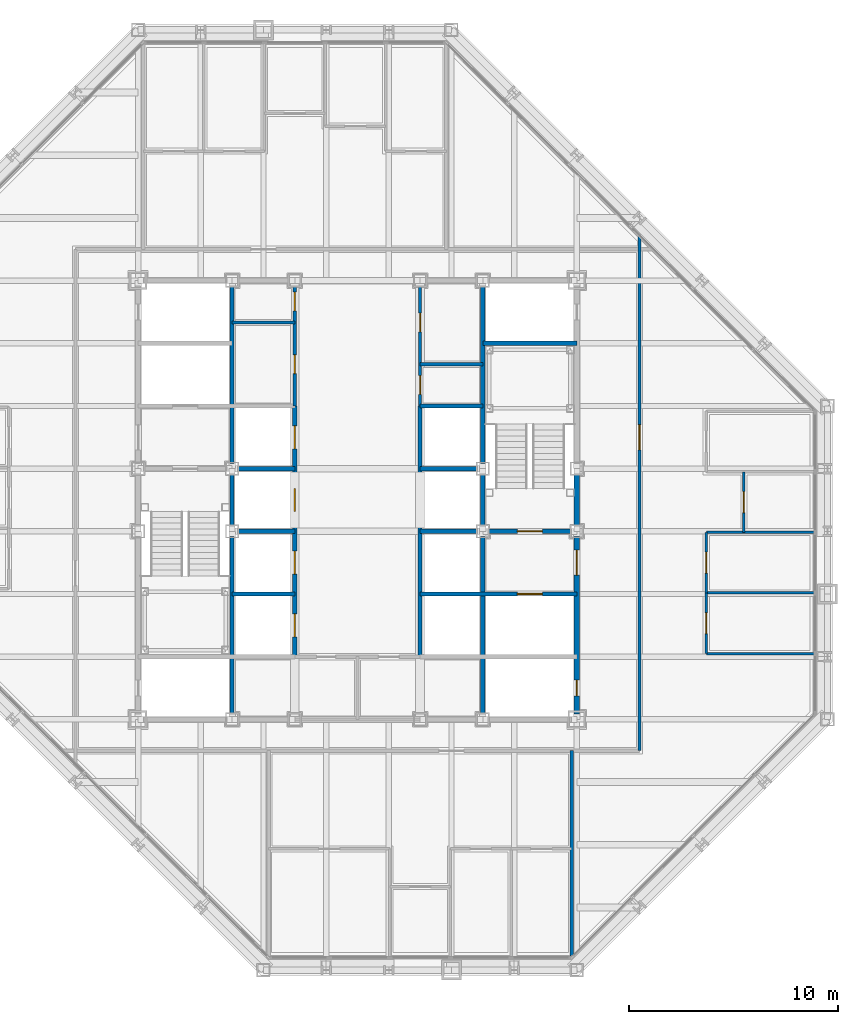
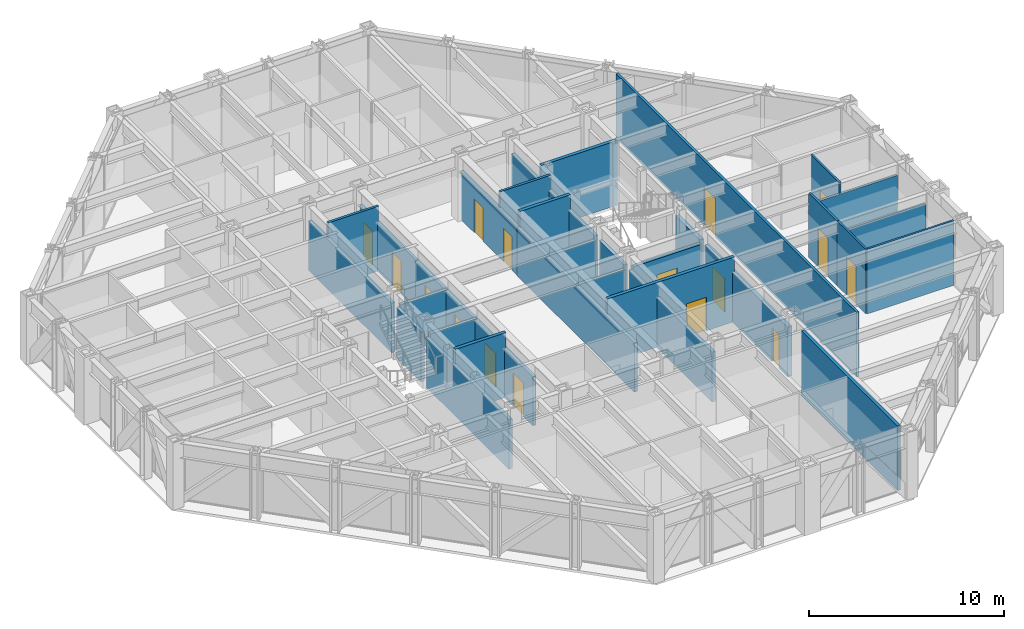
# One storey, part 12 of 16: 31 walls, 16 doors, 16 openings.
"""IFC4 building model written with IfcOpenShell, lengths in metres."""

from ifc_helpers import new_model, si_unit, direction, frame, frame_2d, origin, place, context, subcontext, project, spatial, rectangle, extrude, material, layer, layer_set, type_object, element, fill, save


model = new_model("IFC4")

# Units and contexts
model_context = context("Model", 3, precision=1e-05, world=origin(), true_north=direction((0.0, 1.0)))
body_context = subcontext(model_context, "Body", "Model", "MODEL_VIEW")
ifc_project = project(units=[si_unit("LENGTHUNIT", "METRE"), si_unit("AREAUNIT", "SQUARE_METRE"), si_unit("VOLUMEUNIT", "CUBIC_METRE"), si_unit("PLANEANGLEUNIT", "RADIAN"), si_unit("MASSUNIT", "GRAM", prefix="KILO")], contexts=[model_context])

# Site, building, storey
site_placement = place(None, origin())
site = spatial("IfcSite", under=ifc_project, at=site_placement, CompositionType="ELEMENT")
building_placement = place(site_placement, origin())
building = spatial("IfcBuilding", under=site, at=building_placement, Name="Chuquiago Exchange Tower", CompositionType="ELEMENT")
storey_placement = place(building_placement, frame((0.0, 0.0, 201.300048828125)))
storey = spatial("IfcBuildingStorey", under=building, at=storey_placement, Name="L44", CompositionType="ELEMENT", Elevation=201.300048828125)

# Wall, openings, doors
ifc_material_1 = material(Name="Concrete masonry, fully grouted", Category="masonry")
ifc_layer_1 = layer(ifc_material_1, 0.25)
ifc_layer_set_1 = layer_set([ifc_layer_1], Name="W1 core wall 250")
wall_type_1 = type_object("IfcWallType", Name="W1 core wall 250", PredefinedType="SOLIDWALL", material=ifc_layer_set_1)
wall_1_placement = place(storey_placement, frame((33.0, 12.25, 0.0), z_axis=(0.0, 0.0, 1.0), x_axis=(0.0, 1.0, 0.0)))
wall_1 = element("IfcWall", 1, at=wall_1_placement, inside=storey, type_object=wall_type_1, Name="CW-L44-25-0", PredefinedType="SOLIDWALL", context=body_context, shape_type="SweptSolid", body=[
    extrude(rectangle(XDim=8.5, YDim=0.25, at=frame_2d((4.25, 0.0))), origin(), (0.0, 0.0, 1.0), 3.11279296875),
])
opening_1_placement = place(wall_1_placement, frame((6.64990234375, 0.0, 0.0)))
opening_1 = element("IfcOpeningElement", 2, at=opening_1_placement, cuts=wall_1, Name="Opening L44-004", PredefinedType="OPENING", context=body_context, shape_type="SweptSolid", body=[
    extrude(rectangle(XDim=1.199951171875, YDim=2.10009765625, at=frame_2d((0.60009765625, 1.050048828125))), frame((0.0, 0.135009765625, 0.0), z_axis=(0.0, -1.0, 0.0), x_axis=(1.0, 0.0, 0.0)), (0.0, 0.0, 1.0), 0.27001953125),
])
opening_2_placement = place(wall_1_placement, frame((0.875, 0.0, 0.0)))
opening_2 = element("IfcOpeningElement", 3, at=opening_2_placement, cuts=wall_1, Name="Opening L44-009", PredefinedType="OPENING", context=body_context, shape_type="SweptSolid", body=[
    extrude(rectangle(XDim=0.75, YDim=2.10009765625, at=frame_2d((0.375, 1.050048828125))), frame((0.0, 0.135009765625, 0.0), z_axis=(0.0, -1.0, 0.0), x_axis=(1.0, 0.0, 0.0)), (0.0, 0.0, 1.0), 0.27001953125),
])
ifc_material_2 = material(Name="Steel door, painted", Category="steel")
door_type_1 = type_object("IfcDoorType", Name="D5 firefighting lobby door 1200x2100", OperationType="SINGLE_SWING_LEFT", PredefinedType="DOOR", material=ifc_material_2)
door_1_placement = place(opening_1_placement, origin())
door_1 = element("IfcDoor", 4, at=door_1_placement, inside=storey, type_object=door_type_1, Name="Firefighting lobby 2 door", OperationType="SINGLE_SWING_RIGHT", OverallHeight=2.10009765625, OverallWidth=1.199951171875, PredefinedType="DOOR", context=body_context, shape_type="SweptSolid", body=[
    extrude(rectangle(XDim=1.199951171875, YDim=2.10009765625, at=frame_2d((0.60009765625, 1.050048828125))), frame((0.0, 0.02490234375, 0.0), z_axis=(0.0, -1.0, 0.0), x_axis=(1.0, 0.0, 0.0)), (0.0, 0.0, 1.0), 0.050048828125),
])
fill(opening_1, door_1)
ifc_material_3 = material(Name="Steel door, painted", Category="steel")
door_type_2 = type_object("IfcDoorType", Name="D6 riser access door 750x2100", OperationType="SINGLE_SWING_LEFT", PredefinedType="DOOR", material=ifc_material_3)
door_2_placement = place(opening_2_placement, frame((0.75, 0.0, 0.0), z_axis=(0.0, 0.0, 1.0), x_axis=(-1.0, 0.0, 0.0)))
door_2 = element("IfcDoor", 5, at=door_2_placement, inside=storey, type_object=door_type_2, Name="Riser RE1 door", OperationType="SINGLE_SWING_RIGHT", OverallHeight=2.10009765625, OverallWidth=0.75, PredefinedType="DOOR", context=body_context, shape_type="SweptSolid", body=[
    extrude(rectangle(XDim=0.75, YDim=2.10009765625, at=frame_2d((0.375, 1.050048828125))), frame((0.0, 0.02490234375, 0.0), z_axis=(0.0, -1.0, 0.0), x_axis=(1.0, 0.0, 0.0)), (0.0, 0.0, 1.0), 0.050048828125),
])
fill(opening_2, door_2)

# Wall
wall_2_placement = place(storey_placement, frame((33.0, 21.25, 0.0), z_axis=(0.0, 0.0, 1.0), x_axis=(0.0, 1.0, 0.0)))
element("IfcWall", 6, at=wall_2_placement, inside=storey, type_object=wall_type_1, Name="CW-L44-25-1", PredefinedType="SOLIDWALL", context=body_context, shape_type="SweptSolid", body=[
    extrude(rectangle(XDim=2.5, YDim=0.25, at=frame_2d((1.25, 0.0))), origin(), (0.0, 0.0, 1.0), 3.11279296875),
])

# Wall, opening, door
ifc_material_4 = material(Name="Gypsum board on steel studs, acoustic insulation", Category="steel")
ifc_layer_2 = layer(ifc_material_4, 0.14990234375)
ifc_layer_set_2 = layer_set([ifc_layer_2], Name="W11 corridor wall 150")
wall_type_2 = type_object("IfcWallType", Name="W11 corridor wall 150", PredefinedType="PARTITIONING", material=ifc_layer_set_2)
wall_3_placement = place(storey_placement, frame((36.0, 10.5, 0.0), z_axis=(0.0, 0.0, 1.0), x_axis=(0.0, 1.0, 0.0)))
wall_3 = element("IfcWall", 7, at=wall_3_placement, inside=storey, type_object=wall_type_2, Name="PW-L44-CE", PredefinedType="PARTITIONING", context=body_context, shape_type="SweptSolid", body=[
    extrude(rectangle(XDim=24.614501953125, YDim=0.14990234375, at=frame_2d((12.30712890625, 0.0))), origin(), (0.0, 0.0, 1.0), 4.0400390625),
])
opening_3_placement = place(wall_3_placement, frame((14.39990234375, 0.0, 0.0)))
opening_3 = element("IfcOpeningElement", 8, at=opening_3_placement, cuts=wall_3, Name="Opening L44-042", PredefinedType="OPENING", context=body_context, shape_type="SweptSolid", body=[
    extrude(rectangle(XDim=1.199951171875, YDim=2.39990234375, at=frame_2d((0.60009765625, 1.199951171875))), frame((0.0, 0.0849609375, 0.0), z_axis=(0.0, -1.0, 0.0), x_axis=(1.0, 0.0, 0.0)), (0.0, 0.0, 1.0), 0.169921875),
])
ifc_material_5 = material(Name="Timber door, laminate faced", Category="wood")
door_type_3 = type_object("IfcDoorType", Name="D13 suite entrance door 1200x2400", OperationType="SINGLE_SWING_LEFT", PredefinedType="DOOR", material=ifc_material_5)
door_3_placement = place(opening_3_placement, frame((1.199951171875, 0.0, 0.0), z_axis=(0.0, 0.0, 1.0), x_axis=(-1.0, 0.0, 0.0)))
door_3 = element("IfcDoor", 9, at=door_3_placement, inside=storey, type_object=door_type_3, Name="East suite entrance door", OperationType="SINGLE_SWING_LEFT", OverallHeight=2.39990234375, OverallWidth=1.199951171875, PredefinedType="DOOR", context=body_context, shape_type="SweptSolid", body=[
    extrude(rectangle(XDim=1.199951171875, YDim=2.39990234375, at=frame_2d((0.60009765625, 1.199951171875))), frame((0.0, 0.02490234375, 0.0), z_axis=(0.0, -1.0, 0.0), x_axis=(1.0, 0.0, 0.0)), (0.0, 0.0, 1.0), 0.050048828125),
])
fill(opening_3, door_3)

# Walls
ifc_material_6 = material(Name="Gypsum board on twin steel studs, acoustic insulation", Category="steel")
ifc_layer_3 = layer(ifc_material_6, 0.175048828125)
ifc_layer_set_3 = layer_set([ifc_layer_3], Name="W12 tenant demising wall 175")
wall_type_3 = type_object("IfcWallType", Name="W12 tenant demising wall 175", PredefinedType="PARTITIONING", material=ifc_layer_set_3)
wall_4_placement = place(storey_placement, frame((32.75146484375, 0.666015625, 0.0), z_axis=(0.0, 0.0, 1.0), x_axis=(0.0, 1.0, 0.0)))
element("IfcWall", 10, at=wall_4_placement, inside=storey, type_object=wall_type_3, Name="PW-L44-DS03275", PredefinedType="PARTITIONING", context=body_context, shape_type="SweptSolid", body=[
    extrude(rectangle(XDim=9.833984375, YDim=0.175048828125, at=frame_2d((4.9169921875, 0.0))), origin(), (0.0, 0.0, 1.0), 4.0400390625),
])
ifc_material_7 = material(Name="Concrete masonry, fully grouted", Category="masonry")
ifc_layer_4 = layer(ifc_material_7, 0.199951171875)
ifc_layer_set_4 = layer_set([ifc_layer_4], Name="W2 shaft wall 200")
wall_type_4 = type_object("IfcWallType", Name="W2 shaft wall 200", PredefinedType="SOLIDWALL", material=ifc_layer_set_4)
for number, where, z_axis, x_axis, name in (
    (11, (16.75, 24.0, 0.0), (0.0, 0.0, 1.0), (1.0, 0.0, 0.0), "CW-L44-05-1"),
    (12, (25.5, 24.0, 0.0), (0.0, 0.0, 1.0), (1.0, 0.0, 0.0), "CW-L44-06-0"),
):
    element("IfcWall", number, at=place(storey_placement, frame(where, z_axis=z_axis, x_axis=x_axis)), inside=storey, type_object=wall_type_4, Name=name, PredefinedType="SOLIDWALL", context=body_context, shape_type="SweptSolid", body=[
        extrude(rectangle(XDim=2.75, YDim=0.199951171875, at=frame_2d((1.375, 0.0))), origin(), (0.0, 0.0, 1.0), 3.08984375),
    ])
wall_5_placement = place(storey_placement, frame((25.5, 27.0, 0.0), z_axis=(0.0, 0.0, 1.0), x_axis=(1.0, 0.0, 0.0)))
element("IfcWall", 13, at=wall_5_placement, inside=storey, type_object=wall_type_4, Name="CW-L44-08-0", PredefinedType="SOLIDWALL", context=body_context, shape_type="SweptSolid", body=[
    extrude(rectangle(XDim=3.0, YDim=0.199951171875, at=frame_2d((1.5, 0.0))), origin(), (0.0, 0.0, 1.0), 4.0400390625),
])
wall_6_placement = place(storey_placement, frame((28.5, 30.0, 0.0), z_axis=(0.0, 0.0, 1.0), x_axis=(1.0, 0.0, 0.0)))
element("IfcWall", 14, at=wall_6_placement, inside=storey, type_object=wall_type_4, Name="CW-L44-10-0", PredefinedType="SOLIDWALL", context=body_context, shape_type="SweptSolid", body=[
    extrude(rectangle(XDim=4.5, YDim=0.199951171875, at=frame_2d((2.25, 0.0))), origin(), (0.0, 0.0, 1.0), 4.0400390625),
])
wall_7_placement = place(storey_placement, frame((16.5, 12.25, 0.0), z_axis=(0.0, 0.0, 1.0), x_axis=(0.0, 1.0, 0.0)))
element("IfcWall", 15, at=wall_7_placement, inside=storey, type_object=wall_type_4, Name="CW-L44-13-0", PredefinedType="SOLIDWALL", context=body_context, shape_type="SweptSolid", body=[
    extrude(rectangle(XDim=8.5, YDim=0.199951171875, at=frame_2d((4.25, 0.0))), origin(), (0.0, 0.0, 1.0), 3.11279296875),
])
wall_8_placement = place(storey_placement, frame((16.5, 21.25, 0.0), z_axis=(0.0, 0.0, 1.0), x_axis=(0.0, 1.0, 0.0)))
element("IfcWall", 16, at=wall_8_placement, inside=storey, type_object=wall_type_4, Name="CW-L44-13-1", PredefinedType="SOLIDWALL", context=body_context, shape_type="SweptSolid", body=[
    extrude(rectangle(XDim=2.5, YDim=0.199951171875, at=frame_2d((1.25, 0.0))), origin(), (0.0, 0.0, 1.0), 3.11279296875),
])
wall_9_placement = place(storey_placement, frame((16.5, 24.25, 0.0), z_axis=(0.0, 0.0, 1.0), x_axis=(0.0, 1.0, 0.0)))
element("IfcWall", 17, at=wall_9_placement, inside=storey, type_object=wall_type_4, Name="CW-L44-13-2", PredefinedType="SOLIDWALL", context=body_context, shape_type="SweptSolid", body=[
    extrude(rectangle(XDim=8.5, YDim=0.199951171875, at=frame_2d((4.25, 0.0))), origin(), (0.0, 0.0, 1.0), 3.11279296875),
])
wall_10_placement = place(storey_placement, frame((16.5, 18.0, 0.0), z_axis=(0.0, 0.0, 1.0), x_axis=(1.0, 0.0, 0.0)))
element("IfcWall", 18, at=wall_10_placement, inside=storey, type_object=wall_type_4, Name="CW-L44-14-0", PredefinedType="SOLIDWALL", context=body_context, shape_type="SweptSolid", body=[
    extrude(rectangle(XDim=3.0, YDim=0.199951171875, at=frame_2d((1.5, 0.0))), origin(), (0.0, 0.0, 1.0), 4.0400390625),
])

# Wall, opening, door
wall_11_placement = place(storey_placement, frame((25.5, 18.0, 0.0), z_axis=(0.0, 0.0, 1.0), x_axis=(1.0, 0.0, 0.0)))
wall_11 = element("IfcWall", 19, at=wall_11_placement, inside=storey, type_object=wall_type_4, Name="CW-L44-15-0", PredefinedType="SOLIDWALL", context=body_context, shape_type="SweptSolid", body=[
    extrude(rectangle(XDim=7.5, YDim=0.199951171875, at=frame_2d((3.75, 0.0))), origin(), (0.0, 0.0, 1.0), 4.0400390625),
])
opening_4_placement = place(wall_11_placement, frame((4.64990234375, 0.0, 0.0)))
opening_4 = element("IfcOpeningElement", 20, at=opening_4_placement, cuts=wall_11, Name="Opening L44-006", PredefinedType="OPENING", context=body_context, shape_type="SweptSolid", body=[
    extrude(rectangle(XDim=1.199951171875, YDim=2.10009765625, at=frame_2d((0.60009765625, 1.050048828125))), frame((0.0, 0.10986328125, 0.0), z_axis=(0.0, -1.0, 0.0), x_axis=(1.0, 0.0, 0.0)), (0.0, 0.0, 1.0), 0.219970703125),
])
ifc_material_8 = material(Name="Stainless steel lift landing door", Category="steel")
door_type_4 = type_object("IfcDoorType", Name="LD2 firefighting lift landing door 1200x2100", OperationType="DOUBLE_DOOR_SLIDING", PredefinedType="DOOR", material=ifc_material_8)
door_4_placement = place(opening_4_placement, origin())
door_4 = element("IfcDoor", 21, at=door_4_placement, inside=storey, type_object=door_type_4, Name="Firefighting lift FL2 landing door", OperationType="DOUBLE_DOOR_SLIDING", OverallHeight=2.10009765625, OverallWidth=1.199951171875, PredefinedType="DOOR", context=body_context, shape_type="SweptSolid", body=[
    extrude(rectangle(XDim=1.199951171875, YDim=2.10009765625, at=frame_2d((0.60009765625, 1.050048828125))), frame((0.0, 0.02490234375, 0.0), z_axis=(0.0, -1.0, 0.0), x_axis=(1.0, 0.0, 0.0)), (0.0, 0.0, 1.0), 0.050048828125),
])
fill(opening_4, door_4)

# Walls
for number, where, z_axis, x_axis, name in (
    (22, (16.75, 21.0, 0.0), (0.0, 0.0, 1.0), (1.0, 0.0, 0.0), "CW-L44-16-0"),
    (23, (25.5, 21.0, 0.0), (0.0, 0.0, 1.0), (1.0, 0.0, 0.0), "CW-L44-17-0"),
):
    element("IfcWall", number, at=place(storey_placement, frame(where, z_axis=z_axis, x_axis=x_axis)), inside=storey, type_object=wall_type_4, Name=name, PredefinedType="SOLIDWALL", context=body_context, shape_type="SweptSolid", body=[
        extrude(rectangle(XDim=2.75, YDim=0.199951171875, at=frame_2d((1.375, 0.0))), origin(), (0.0, 0.0, 1.0), 3.08984375),
    ])

# Wall, opening, door
wall_12_placement = place(storey_placement, frame((28.75, 21.0, 0.0), z_axis=(0.0, 0.0, 1.0), x_axis=(1.0, 0.0, 0.0)))
wall_12 = element("IfcWall", 24, at=wall_12_placement, inside=storey, type_object=wall_type_4, Name="CW-L44-17-1", PredefinedType="SOLIDWALL", context=body_context, shape_type="SweptSolid", body=[
    extrude(rectangle(XDim=4.0, YDim=0.199951171875, at=frame_2d((2.0, 0.0))), origin(), (0.0, 0.0, 1.0), 3.08984375),
])
opening_5_placement = place(wall_12_placement, frame((1.39990234375, 0.0, 0.0)))
opening_5 = element("IfcOpeningElement", 25, at=opening_5_placement, cuts=wall_12, Name="Opening L44-003", PredefinedType="OPENING", context=body_context, shape_type="SweptSolid", body=[
    extrude(rectangle(XDim=1.199951171875, YDim=2.10009765625, at=frame_2d((0.60009765625, 1.050048828125))), frame((0.0, 0.10986328125, 0.0), z_axis=(0.0, -1.0, 0.0), x_axis=(1.0, 0.0, 0.0)), (0.0, 0.0, 1.0), 0.219970703125),
])
ifc_material_9 = material(Name="Steel door, painted", Category="steel")
door_type_5 = type_object("IfcDoorType", Name="D4 stair door 1200x2100", OperationType="SINGLE_SWING_LEFT", PredefinedType="DOOR", material=ifc_material_9)
door_5_placement = place(opening_5_placement, origin())
door_5 = element("IfcDoor", 26, at=door_5_placement, inside=storey, type_object=door_type_5, Name="Stair ST2 door", OperationType="SINGLE_SWING_LEFT", OverallHeight=2.10009765625, OverallWidth=1.199951171875, PredefinedType="DOOR", context=body_context, shape_type="SweptSolid", body=[
    extrude(rectangle(XDim=1.199951171875, YDim=2.10009765625, at=frame_2d((0.60009765625, 1.050048828125))), frame((0.0, 0.02490234375, 0.0), z_axis=(0.0, -1.0, 0.0), x_axis=(1.0, 0.0, 0.0)), (0.0, 0.0, 1.0), 0.050048828125),
])
fill(opening_5, door_5)

# Wall, openings, doors
wall_13_placement = place(storey_placement, frame((19.5, 15.0, 0.0), z_axis=(0.0, 0.0, 1.0), x_axis=(0.0, 1.0, 0.0)))
wall_13 = element("IfcWall", 27, at=wall_13_placement, inside=storey, type_object=wall_type_4, Name="CW-L44-19-0", PredefinedType="SOLIDWALL", context=body_context, shape_type="SweptSolid", body=[
    extrude(rectangle(XDim=12.0, YDim=0.199951171875, at=frame_2d((6.0, 0.0))), origin(), (0.0, 0.0, 1.0), 3.064453125),
])
opening_6_placement = place(wall_13_placement, frame((0.949951171875, 0.0, 0.0)))
opening_6 = element("IfcOpeningElement", 28, at=opening_6_placement, cuts=wall_13, Name="Opening L44-017", PredefinedType="OPENING", context=body_context, shape_type="SweptSolid", body=[
    extrude(rectangle(XDim=1.10009765625, YDim=2.10009765625, at=frame_2d((0.550048828125, 1.050048828125))), frame((0.0, 0.10986328125, 0.0), z_axis=(0.0, -1.0, 0.0), x_axis=(1.0, 0.0, 0.0)), (0.0, 0.0, 1.0), 0.219970703125),
])
opening_7_placement = place(wall_13_placement, frame((3.949951171875, 0.0, 0.0)))
opening_7 = element("IfcOpeningElement", 29, at=opening_7_placement, cuts=wall_13, Name="Opening L44-018", PredefinedType="OPENING", context=body_context, shape_type="SweptSolid", body=[
    extrude(rectangle(XDim=1.10009765625, YDim=2.10009765625, at=frame_2d((0.550048828125, 1.050048828125))), frame((0.0, 0.10986328125, 0.0), z_axis=(0.0, -1.0, 0.0), x_axis=(1.0, 0.0, 0.0)), (0.0, 0.0, 1.0), 0.219970703125),
])
opening_8_placement = place(wall_13_placement, frame((6.949951171875, 0.0, 0.0)))
opening_8 = element("IfcOpeningElement", 30, at=opening_8_placement, cuts=wall_13, Name="Opening L44-019", PredefinedType="OPENING", context=body_context, shape_type="SweptSolid", body=[
    extrude(rectangle(XDim=1.10009765625, YDim=2.10009765625, at=frame_2d((0.550048828125, 1.050048828125))), frame((0.0, 0.10986328125, 0.0), z_axis=(0.0, -1.0, 0.0), x_axis=(1.0, 0.0, 0.0)), (0.0, 0.0, 1.0), 0.219970703125),
])
opening_9_placement = place(wall_13_placement, frame((9.949951171875, 0.0, 0.0)))
opening_9 = element("IfcOpeningElement", 31, at=opening_9_placement, cuts=wall_13, Name="Opening L44-020", PredefinedType="OPENING", context=body_context, shape_type="SweptSolid", body=[
    extrude(rectangle(XDim=1.10009765625, YDim=2.10009765625, at=frame_2d((0.550048828125, 1.050048828125))), frame((0.0, 0.10986328125, 0.0), z_axis=(0.0, -1.0, 0.0), x_axis=(1.0, 0.0, 0.0)), (0.0, 0.0, 1.0), 0.219970703125),
])
ifc_material_10 = material(Name="Stainless steel lift landing door", Category="steel")
door_type_6 = type_object("IfcDoorType", Name="LD1 lift landing door 1100x2100", OperationType="DOUBLE_DOOR_SLIDING", PredefinedType="DOOR", material=ifc_material_10)
door_6_placement = place(opening_6_placement, origin())
door_6 = element("IfcDoor", 32, at=door_6_placement, inside=storey, type_object=door_type_6, Name="Lift LC1 landing door", OperationType="DOUBLE_DOOR_SLIDING", OverallHeight=2.10009765625, OverallWidth=1.10009765625, PredefinedType="DOOR", context=body_context, shape_type="SweptSolid", body=[
    extrude(rectangle(XDim=1.10009765625, YDim=2.10009765625, at=frame_2d((0.550048828125, 1.050048828125))), frame((0.0, 0.02490234375, 0.0), z_axis=(0.0, -1.0, 0.0), x_axis=(1.0, 0.0, 0.0)), (0.0, 0.0, 1.0), 0.050048828125),
])
fill(opening_6, door_6)
door_7_placement = place(opening_7_placement, origin())
door_7 = element("IfcDoor", 33, at=door_7_placement, inside=storey, type_object=door_type_6, Name="Lift LC2 landing door", OperationType="DOUBLE_DOOR_SLIDING", OverallHeight=2.10009765625, OverallWidth=1.10009765625, PredefinedType="DOOR", context=body_context, shape_type="SweptSolid", body=[
    extrude(rectangle(XDim=1.10009765625, YDim=2.10009765625, at=frame_2d((0.550048828125, 1.050048828125))), frame((0.0, 0.02490234375, 0.0), z_axis=(0.0, -1.0, 0.0), x_axis=(1.0, 0.0, 0.0)), (0.0, 0.0, 1.0), 0.050048828125),
])
fill(opening_7, door_7)
door_8_placement = place(opening_8_placement, origin())
door_8 = element("IfcDoor", 34, at=door_8_placement, inside=storey, type_object=door_type_6, Name="Lift LC3 landing door", OperationType="DOUBLE_DOOR_SLIDING", OverallHeight=2.10009765625, OverallWidth=1.10009765625, PredefinedType="DOOR", context=body_context, shape_type="SweptSolid", body=[
    extrude(rectangle(XDim=1.10009765625, YDim=2.10009765625, at=frame_2d((0.550048828125, 1.050048828125))), frame((0.0, 0.02490234375, 0.0), z_axis=(0.0, -1.0, 0.0), x_axis=(1.0, 0.0, 0.0)), (0.0, 0.0, 1.0), 0.050048828125),
])
fill(opening_8, door_8)
door_9_placement = place(opening_9_placement, origin())
door_9 = element("IfcDoor", 35, at=door_9_placement, inside=storey, type_object=door_type_6, Name="Lift LC4 landing door", OperationType="DOUBLE_DOOR_SLIDING", OverallHeight=2.10009765625, OverallWidth=1.10009765625, PredefinedType="DOOR", context=body_context, shape_type="SweptSolid", body=[
    extrude(rectangle(XDim=1.10009765625, YDim=2.10009765625, at=frame_2d((0.550048828125, 1.050048828125))), frame((0.0, 0.02490234375, 0.0), z_axis=(0.0, -1.0, 0.0), x_axis=(1.0, 0.0, 0.0)), (0.0, 0.0, 1.0), 0.050048828125),
])
fill(opening_9, door_9)

# Walls
wall_14_placement = place(storey_placement, frame((25.5, 15.0, 0.0), z_axis=(0.0, 0.0, 1.0), x_axis=(0.0, 1.0, 0.0)))
element("IfcWall", 36, at=wall_14_placement, inside=storey, type_object=wall_type_4, Name="CW-L44-22-0", PredefinedType="SOLIDWALL", context=body_context, shape_type="SweptSolid", body=[
    extrude(rectangle(XDim=12.0, YDim=0.199951171875, at=frame_2d((6.0, 0.0))), origin(), (0.0, 0.0, 1.0), 3.064453125),
])
wall_15_placement = place(storey_placement, frame((28.5, 12.25, 0.0), z_axis=(0.0, 0.0, 1.0), x_axis=(0.0, 1.0, 0.0)))
element("IfcWall", 37, at=wall_15_placement, inside=storey, type_object=wall_type_4, Name="CW-L44-24-0", PredefinedType="SOLIDWALL", context=body_context, shape_type="SweptSolid", body=[
    extrude(rectangle(XDim=8.5, YDim=0.199951171875, at=frame_2d((4.25, 0.0))), origin(), (0.0, 0.0, 1.0), 3.11279296875),
])
wall_16_placement = place(storey_placement, frame((28.5, 21.25, 0.0), z_axis=(0.0, 0.0, 1.0), x_axis=(0.0, 1.0, 0.0)))
element("IfcWall", 38, at=wall_16_placement, inside=storey, type_object=wall_type_4, Name="CW-L44-24-1", PredefinedType="SOLIDWALL", context=body_context, shape_type="SweptSolid", body=[
    extrude(rectangle(XDim=2.5, YDim=0.199951171875, at=frame_2d((1.25, 0.0))), origin(), (0.0, 0.0, 1.0), 3.11279296875),
])
wall_17_placement = place(storey_placement, frame((28.5, 24.25, 0.0), z_axis=(0.0, 0.0, 1.0), x_axis=(0.0, 1.0, 0.0)))
element("IfcWall", 39, at=wall_17_placement, inside=storey, type_object=wall_type_4, Name="CW-L44-24-2", PredefinedType="SOLIDWALL", context=body_context, shape_type="SweptSolid", body=[
    extrude(rectangle(XDim=8.5, YDim=0.199951171875, at=frame_2d((4.25, 0.0))), origin(), (0.0, 0.0, 1.0), 3.11279296875),
])

# Wall, openings, doors
ifc_material_11 = material(Name="Gypsum board on steel studs", Category="steel")
ifc_layer_5 = layer(ifc_material_11, 0.14990234375)
ifc_layer_set_5 = layer_set([ifc_layer_5], Name="W3 core partition 150")
wall_type_5 = type_object("IfcWallType", Name="W3 core partition 150", PredefinedType="PARTITIONING", material=ifc_layer_set_5)
wall_18_placement = place(storey_placement, frame((19.5, 27.0, 0.0), z_axis=(0.0, 0.0, 1.0), x_axis=(0.0, 1.0, 0.0)))
wall_18 = element("IfcWall", 40, at=wall_18_placement, inside=storey, type_object=wall_type_5, Name="CW-L44-20-0", PredefinedType="PARTITIONING", context=body_context, shape_type="SweptSolid", body=[
    extrude(rectangle(XDim=5.75, YDim=0.14990234375, at=frame_2d((2.875, 0.0))), origin(), (0.0, 0.0, 1.0), 3.064453125),
])
opening_10_placement = place(wall_18_placement, frame((1.550048828125, 0.0, 0.0)))
opening_10 = element("IfcOpeningElement", 41, at=opening_10_placement, cuts=wall_18, Name="Opening L44-011", PredefinedType="OPENING", context=body_context, shape_type="SweptSolid", body=[
    extrude(rectangle(XDim=0.89990234375, YDim=2.10009765625, at=frame_2d((0.449951171875, 1.050048828125))), frame((0.0, 0.0849609375, 0.0), z_axis=(0.0, -1.0, 0.0), x_axis=(1.0, 0.0, 0.0)), (0.0, 0.0, 1.0), 0.169921875),
])
opening_11_placement = place(wall_18_placement, frame((4.550048828125, 0.0, 0.0)))
opening_11 = element("IfcOpeningElement", 42, at=opening_11_placement, cuts=wall_18, Name="Opening L44-012", PredefinedType="OPENING", context=body_context, shape_type="SweptSolid", body=[
    extrude(rectangle(XDim=0.89990234375, YDim=2.10009765625, at=frame_2d((0.449951171875, 1.050048828125))), frame((0.0, 0.0849609375, 0.0), z_axis=(0.0, -1.0, 0.0), x_axis=(1.0, 0.0, 0.0)), (0.0, 0.0, 1.0), 0.169921875),
])
ifc_material_12 = material(Name="Timber door, laminate faced", Category="wood")
door_type_7 = type_object("IfcDoorType", Name="D16 core room door 900x2100", OperationType="SINGLE_SWING_LEFT", PredefinedType="DOOR", material=ifc_material_12)
door_10_placement = place(opening_11_placement, origin())
door_10 = element("IfcDoor", 43, at=door_10_placement, inside=storey, type_object=door_type_7, Name="Staff shower room door", OperationType="SINGLE_SWING_RIGHT", OverallHeight=2.10009765625, OverallWidth=0.89990234375, PredefinedType="DOOR", context=body_context, shape_type="SweptSolid", body=[
    extrude(rectangle(XDim=0.89990234375, YDim=2.10009765625, at=frame_2d((0.449951171875, 1.050048828125))), frame((0.0, 0.02490234375, 0.0), z_axis=(0.0, -1.0, 0.0), x_axis=(1.0, 0.0, 0.0)), (0.0, 0.0, 1.0), 0.050048828125),
])
fill(opening_11, door_10)
ifc_material_13 = material(Name="Timber door, laminate faced", Category="wood")
door_type_8 = type_object("IfcDoorType", Name="D7 toilet door 900x2100", OperationType="SINGLE_SWING_LEFT", PredefinedType="DOOR", material=ifc_material_13)
door_11_placement = place(opening_10_placement, origin())
door_11 = element("IfcDoor", 44, at=door_11_placement, inside=storey, type_object=door_type_8, Name="Male WC door", OperationType="SINGLE_SWING_LEFT", OverallHeight=2.10009765625, OverallWidth=0.89990234375, PredefinedType="DOOR", context=body_context, shape_type="SweptSolid", body=[
    extrude(rectangle(XDim=0.89990234375, YDim=2.10009765625, at=frame_2d((0.449951171875, 1.050048828125))), frame((0.0, 0.02490234375, 0.0), z_axis=(0.0, -1.0, 0.0), x_axis=(1.0, 0.0, 0.0)), (0.0, 0.0, 1.0), 0.050048828125),
])
fill(opening_10, door_11)

wall_19_placement = place(storey_placement, frame((25.5, 27.0, 0.0), z_axis=(0.0, 0.0, 1.0), x_axis=(0.0, 1.0, 0.0)))
wall_19 = element("IfcWall", 45, at=wall_19_placement, inside=storey, type_object=wall_type_5, Name="CW-L44-23-0", PredefinedType="PARTITIONING", context=body_context, shape_type="SweptSolid", body=[
    extrude(rectangle(XDim=5.75, YDim=0.14990234375, at=frame_2d((2.875, 0.0))), origin(), (0.0, 0.0, 1.0), 3.064453125),
])
opening_12_placement = place(wall_19_placement, frame((0.550048828125, 0.0, 0.0)))
opening_12 = element("IfcOpeningElement", 46, at=opening_12_placement, cuts=wall_19, Name="Opening L44-013", PredefinedType="OPENING", context=body_context, shape_type="SweptSolid", body=[
    extrude(rectangle(XDim=0.89990234375, YDim=2.10009765625, at=frame_2d((0.449951171875, 1.050048828125))), frame((0.0, 0.0849609375, 0.0), z_axis=(0.0, -1.0, 0.0), x_axis=(1.0, 0.0, 0.0)), (0.0, 0.0, 1.0), 0.169921875),
])
opening_13_placement = place(wall_19_placement, frame((3.550048828125, 0.0, 0.0)))
opening_13 = element("IfcOpeningElement", 47, at=opening_13_placement, cuts=wall_19, Name="Opening L44-014", PredefinedType="OPENING", context=body_context, shape_type="SweptSolid", body=[
    extrude(rectangle(XDim=0.89990234375, YDim=2.10009765625, at=frame_2d((0.449951171875, 1.050048828125))), frame((0.0, 0.0849609375, 0.0), z_axis=(0.0, -1.0, 0.0), x_axis=(1.0, 0.0, 0.0)), (0.0, 0.0, 1.0), 0.169921875),
])
door_12_placement = place(opening_12_placement, frame((0.89990234375, 0.0, 0.0), z_axis=(0.0, 0.0, 1.0), x_axis=(-1.0, 0.0, 0.0)))
door_12 = element("IfcDoor", 48, at=door_12_placement, inside=storey, type_object=door_type_7, Name="First aid room door", OperationType="SINGLE_SWING_RIGHT", OverallHeight=2.10009765625, OverallWidth=0.89990234375, PredefinedType="DOOR", context=body_context, shape_type="SweptSolid", body=[
    extrude(rectangle(XDim=0.89990234375, YDim=2.10009765625, at=frame_2d((0.449951171875, 1.050048828125))), frame((0.0, 0.02490234375, 0.0), z_axis=(0.0, -1.0, 0.0), x_axis=(1.0, 0.0, 0.0)), (0.0, 0.0, 1.0), 0.050048828125),
])
fill(opening_12, door_12)
door_13_placement = place(opening_13_placement, frame((0.89990234375, 0.0, 0.0), z_axis=(0.0, 0.0, 1.0), x_axis=(-1.0, 0.0, 0.0)))
door_13 = element("IfcDoor", 49, at=door_13_placement, inside=storey, type_object=door_type_8, Name="Female WC door", OperationType="SINGLE_SWING_LEFT", OverallHeight=2.10009765625, OverallWidth=0.89990234375, PredefinedType="DOOR", context=body_context, shape_type="SweptSolid", body=[
    extrude(rectangle(XDim=0.89990234375, YDim=2.10009765625, at=frame_2d((0.449951171875, 1.050048828125))), frame((0.0, 0.02490234375, 0.0), z_axis=(0.0, -1.0, 0.0), x_axis=(1.0, 0.0, 0.0)), (0.0, 0.0, 1.0), 0.050048828125),
])
fill(opening_13, door_13)

# Walls
for number, where, z_axis, x_axis, name in (
    (50, (16.5, 31.0, 0.0), (0.0, 0.0, 1.0), (1.0, 0.0, 0.0), "CW-L44-WCMS"),
    (51, (25.5, 29.0, 0.0), (0.0, 0.0, 1.0), (1.0, 0.0, 0.0), "CW-L44-WCFS"),
):
    element("IfcWall", number, at=place(storey_placement, frame(where, z_axis=z_axis, x_axis=x_axis)), inside=storey, type_object=wall_type_5, Name=name, PredefinedType="PARTITIONING", context=body_context, shape_type="SweptSolid", body=[
        extrude(rectangle(XDim=3.0, YDim=0.14990234375, at=frame_2d((1.5, 0.0))), origin(), (0.0, 0.0, 1.0), 4.0400390625),
    ])
ifc_material_14 = material(Name="Gypsum board on steel studs", Category="steel")
ifc_layer_6 = layer(ifc_material_14, 0.1201171875)
ifc_layer_set_6 = layer_set([ifc_layer_6], Name="W4 partition 120")
wall_type_6 = type_object("IfcWallType", Name="W4 partition 120", PredefinedType="PARTITIONING", material=ifc_layer_set_6)
wall_20_placement = place(storey_placement, frame((44.347412109375, 15.149169921875, 0.0), z_axis=(0.0, 0.0, 1.0), x_axis=(-1.0, 0.0, 0.0)))
element("IfcWall", 52, at=wall_20_placement, inside=storey, type_object=wall_type_6, Name="PW-L44-E01515", PredefinedType="PARTITIONING", context=body_context, shape_type="SweptSolid", body=[
    extrude(rectangle(XDim=5.1474609375, YDim=0.1201171875, at=frame_2d((2.57373046875, 0.0))), origin(), (0.0, 0.0, 1.0), 4.0400390625),
])
for number, where, z_axis, x_axis, name in (
    (53, (44.347412109375, 18.0498046875, 0.0), (0.0, 0.0, 1.0), (-1.0, 0.0, 0.0), "PW-L44-E01805"),
    (54, (44.347412109375, 20.9501953125, 0.0), (0.0, 0.0, 1.0), (-1.0, 0.0, 0.0), "PW-L44-E02095"),
):
    element("IfcWall", number, at=place(storey_placement, frame(where, z_axis=z_axis, x_axis=x_axis)), inside=storey, type_object=wall_type_6, Name=name, PredefinedType="PARTITIONING", context=body_context, shape_type="SweptSolid", body=[
        extrude(rectangle(XDim=5.1474609375, YDim=0.1201171875, at=frame_2d((2.57373046875, 0.0))), origin(), (0.0, 0.0, 1.0), 3.356689453125),
    ])

# Wall, opening, door
wall_21_placement = place(storey_placement, frame((39.199951171875, 15.149169921875, 0.0), z_axis=(0.0, 0.0, 1.0), x_axis=(0.0, 1.0, 0.0)))
wall_21 = element("IfcWall", 55, at=wall_21_placement, inside=storey, type_object=wall_type_6, Name="PW-L44-EF01515", PredefinedType="PARTITIONING", context=body_context, shape_type="SweptSolid", body=[
    extrude(rectangle(XDim=2.900634765625, YDim=0.1201171875, at=frame_2d((1.4501953125, 0.0))), origin(), (0.0, 0.0, 1.0), 4.0400390625),
])
opening_14_placement = place(wall_21_placement, frame((0.9501953125, 0.0, 0.0)))
opening_14 = element("IfcOpeningElement", 56, at=opening_14_placement, cuts=wall_21, Name="Opening L44-025", PredefinedType="OPENING", context=body_context, shape_type="SweptSolid", body=[
    extrude(rectangle(XDim=1.0, YDim=2.39990234375, at=frame_2d((0.5, 1.199951171875))), frame((0.0, 0.070068359375, 0.0), z_axis=(0.0, -1.0, 0.0), x_axis=(1.0, 0.0, 0.0)), (0.0, 0.0, 1.0), 0.14013671875),
])
ifc_material_15 = material(Name="Timber door, laminate faced", Category="wood")
door_type_9 = type_object("IfcDoorType", Name="D9 room door 1000x2400", OperationType="SINGLE_SWING_LEFT", PredefinedType="DOOR", material=ifc_material_15)
door_14_placement = place(opening_14_placement, frame((1.0, 0.0, 0.0), z_axis=(0.0, 0.0, 1.0), x_axis=(-1.0, 0.0, 0.0)))
door_14 = element("IfcDoor", 57, at=door_14_placement, inside=storey, type_object=door_type_9, Name="Office door", OperationType="SINGLE_SWING_RIGHT", OverallHeight=2.39990234375, OverallWidth=1.0, PredefinedType="DOOR", context=body_context, shape_type="SweptSolid", body=[
    extrude(rectangle(XDim=1.0, YDim=2.39990234375, at=frame_2d((0.5, 1.199951171875))), frame((0.0, 0.02490234375, 0.0), z_axis=(0.0, -1.0, 0.0), x_axis=(1.0, 0.0, 0.0)), (0.0, 0.0, 1.0), 0.050048828125),
])
fill(opening_14, door_14)

wall_22_placement = place(storey_placement, frame((39.199951171875, 18.0498046875, 0.0), z_axis=(0.0, 0.0, 1.0), x_axis=(0.0, 1.0, 0.0)))
wall_22 = element("IfcWall", 58, at=wall_22_placement, inside=storey, type_object=wall_type_6, Name="PW-L44-EF01805", PredefinedType="PARTITIONING", context=body_context, shape_type="SweptSolid", body=[
    extrude(rectangle(XDim=2.900390625, YDim=0.1201171875, at=frame_2d((1.4501953125, 0.0))), origin(), (0.0, 0.0, 1.0), 4.0400390625),
])
opening_15_placement = place(wall_22_placement, frame((0.9501953125, 0.0, 0.0)))
opening_15 = element("IfcOpeningElement", 59, at=opening_15_placement, cuts=wall_22, Name="Opening L44-026", PredefinedType="OPENING", context=body_context, shape_type="SweptSolid", body=[
    extrude(rectangle(XDim=1.0, YDim=2.39990234375, at=frame_2d((0.5, 1.199951171875))), frame((0.0, 0.070068359375, 0.0), z_axis=(0.0, -1.0, 0.0), x_axis=(1.0, 0.0, 0.0)), (0.0, 0.0, 1.0), 0.14013671875),
])
door_15_placement = place(opening_15_placement, frame((1.0, 0.0, 0.0), z_axis=(0.0, 0.0, 1.0), x_axis=(-1.0, 0.0, 0.0)))
door_15 = element("IfcDoor", 60, at=door_15_placement, inside=storey, type_object=door_type_9, Name="Office door", OperationType="SINGLE_SWING_LEFT", OverallHeight=2.39990234375, OverallWidth=1.0, PredefinedType="DOOR", context=body_context, shape_type="SweptSolid", body=[
    extrude(rectangle(XDim=1.0, YDim=2.39990234375, at=frame_2d((0.5, 1.199951171875))), frame((0.0, 0.02490234375, 0.0), z_axis=(0.0, -1.0, 0.0), x_axis=(1.0, 0.0, 0.0)), (0.0, 0.0, 1.0), 0.050048828125),
])
fill(opening_15, door_15)

wall_23_placement = place(storey_placement, frame((41.0, 20.9501953125, 0.0), z_axis=(0.0, 0.0, 1.0), x_axis=(0.0, 1.0, 0.0)))
wall_23 = element("IfcWall", 61, at=wall_23_placement, inside=storey, type_object=wall_type_6, Name="PW-L44-EF02095", PredefinedType="PARTITIONING", context=body_context, shape_type="SweptSolid", body=[
    extrude(rectangle(XDim=2.900634765625, YDim=0.1201171875, at=frame_2d((1.4501953125, 0.0))), origin(), (0.0, 0.0, 1.0), 4.0400390625),
])
opening_16_placement = place(wall_23_placement, frame((0.9501953125, 0.0, 0.0)))
opening_16 = element("IfcOpeningElement", 62, at=opening_16_placement, cuts=wall_23, Name="Opening L44-027", PredefinedType="OPENING", context=body_context, shape_type="SweptSolid", body=[
    extrude(rectangle(XDim=1.0, YDim=2.39990234375, at=frame_2d((0.5, 1.199951171875))), frame((0.0, 0.070068359375, 0.0), z_axis=(0.0, -1.0, 0.0), x_axis=(1.0, 0.0, 0.0)), (0.0, 0.0, 1.0), 0.14013671875),
])
ifc_material_16 = material(Name="Timber frame door, full height glazed panel", Category="wood")
door_type_10 = type_object("IfcDoorType", Name="D14 glazed meeting room door 1000x2400", OperationType="SINGLE_SWING_LEFT", PredefinedType="DOOR", material=ifc_material_16)
door_16_placement = place(opening_16_placement, frame((1.0, 0.0, 0.0), z_axis=(0.0, 0.0, 1.0), x_axis=(-1.0, 0.0, 0.0)))
door_16 = element("IfcDoor", 63, at=door_16_placement, inside=storey, type_object=door_type_10, Name="Focus room door", OperationType="SINGLE_SWING_RIGHT", OverallHeight=2.39990234375, OverallWidth=1.0, PredefinedType="DOOR", context=body_context, shape_type="SweptSolid", body=[
    extrude(rectangle(XDim=1.0, YDim=2.39990234375, at=frame_2d((0.5, 1.199951171875))), frame((0.0, 0.02490234375, 0.0), z_axis=(0.0, -1.0, 0.0), x_axis=(1.0, 0.0, 0.0)), (0.0, 0.0, 1.0), 0.050048828125),
])
fill(opening_16, door_16)

save(model, "model.ifc")
